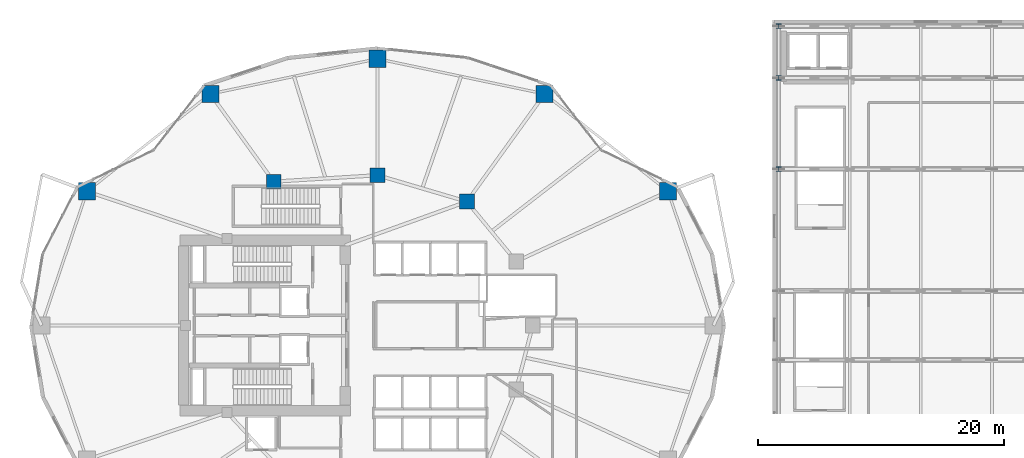
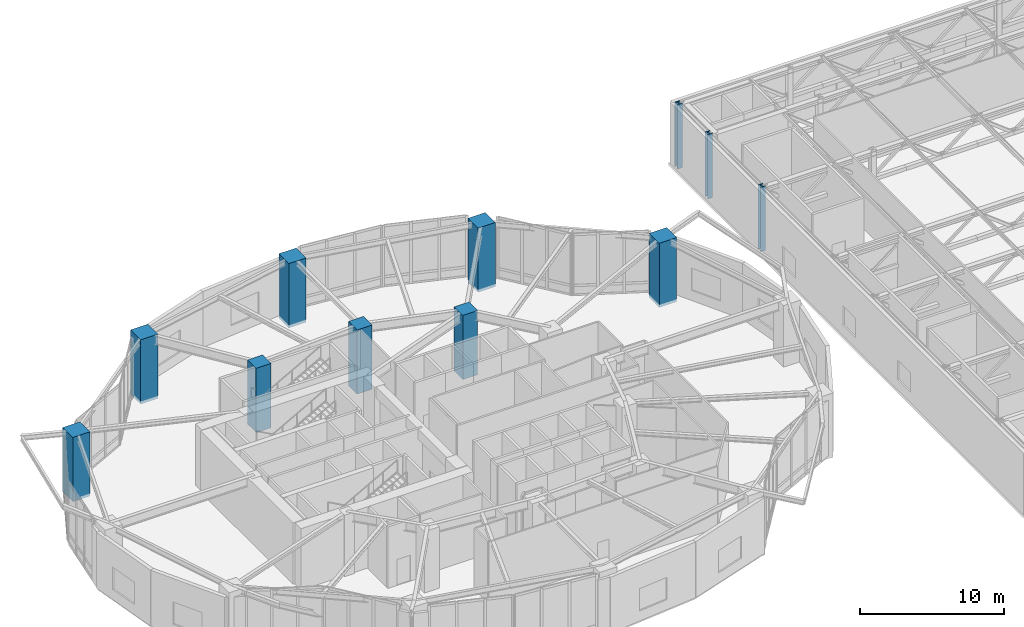
# One storey, part 3 of 29: 11 columns.
"""IFC4 building model written with IfcOpenShell, lengths in metres."""

from ifc_helpers import new_model, si_unit, direction, frame, origin, origin_2d, place, context, subcontext, project, spatial, rectangle, i_section, extrude, material, material_profile, profile_set, type_object, element, save


model = new_model("IFC4")

# Units and contexts
model_context = context("Model", 3, precision=1e-05, world=origin(), true_north=direction((0.0, 1.0)))
body_context = subcontext(model_context, "Body", "Model", "MODEL_VIEW")
ifc_project = project(units=[si_unit("LENGTHUNIT", "METRE"), si_unit("AREAUNIT", "SQUARE_METRE"), si_unit("VOLUMEUNIT", "CUBIC_METRE"), si_unit("PLANEANGLEUNIT", "RADIAN"), si_unit("MASSUNIT", "GRAM", prefix="KILO")], contexts=[model_context])

# Site, building, storey
site_placement = place(None, origin())
site = spatial("IfcSite", under=ifc_project, at=site_placement, CompositionType="ELEMENT")
building_placement = place(site_placement, origin())
building = spatial("IfcBuilding", under=site, at=building_placement, Name="Kolvaren Gate Tower and Convention Centre", CompositionType="ELEMENT")
storey_placement = place(building_placement, frame((0.0, 0.0, 21.0)))
storey = spatial("IfcBuildingStorey", under=building, at=storey_placement, Name="L04", CompositionType="ELEMENT", Elevation=21.0)

# Columns
ifc_material_1 = material(Name="Concrete C70/85", Category="concrete")
ifc_material_profile_1 = material_profile(ifc_material_1, rectangle(XDim=1.199951171875, YDim=1.199951171875, at=origin_2d()), Name="RC-COL-1200X1200")
ifc_profile_set_1 = profile_set([ifc_material_profile_1], Name="Concrete C70/85")
column_type_1 = type_object("IfcColumnType", Name="STR-COL-RC1200", PredefinedType="COLUMN", material=ifc_profile_set_1)
for number, where, z_axis, x_axis, name in (
    (1, (37.381591796875, 37.054931640625, -0.239990234375), (0.0, 0.0, 1.0), (1.0, 0.0, 0.0), "Tower L04 Interior Column TI-03"),
    (2, (30.125, 39.199951171875, -0.239990234375), (0.0, 0.0, 1.0), (1.0, 0.0, 0.0), "Tower L04 Interior Column TI-04"),
    (3, (21.697998046875, 38.6767578125, -0.239990234375), (0.0, 0.0, 1.0), (1.0, 0.0, 0.0), "Tower L04 Interior Column TI-05"),
):
    element("IfcColumn", number, at=place(storey_placement, frame(where, z_axis=z_axis, x_axis=x_axis)), inside=storey, type_object=column_type_1, Name=name, PredefinedType="COLUMN", context=body_context, shape_type="SweptSolid", body=[
        extrude(rectangle(XDim=1.199951171875, YDim=1.199951171875, at=origin_2d()), origin(), (0.0, 0.0, 1.0), 5.4599609375),
    ])
ifc_material_profile_2 = material_profile(ifc_material_1, rectangle(XDim=1.39990234375, YDim=1.39990234375, at=origin_2d()), Name="RC-COL-1400X1400")
ifc_profile_set_2 = profile_set([ifc_material_profile_2], Name="Concrete C70/85")
column_type_2 = type_object("IfcColumnType", Name="STR-COL-RC1400", PredefinedType="COLUMN", material=ifc_profile_set_2)
for number, where, z_axis, x_axis, name in (
    (4, (53.710205078125, 37.8935546875, -0.239990234375), (0.0, 0.0, 1.0), (1.0, 0.0, 0.0), "Tower L04 Perimeter Supercolumn TP-02"),
    (5, (43.690185546875, 45.79638671875, -0.239990234375), (0.0, 0.0, 1.0), (1.0, 0.0, 0.0), "Tower L04 Perimeter Supercolumn TP-03"),
    (6, (30.125, 48.64990234375, -0.239990234375), (0.0, 0.0, 1.0), (1.0, 0.0, 0.0), "Tower L04 Perimeter Supercolumn TP-04"),
    (7, (16.559814453125, 45.79638671875, -0.239990234375), (0.0, 0.0, 1.0), (1.0, 0.0, 0.0), "Tower L04 Perimeter Supercolumn TP-05"),
    (8, (6.539794921875, 37.8935546875, -0.239990234375), (0.0, 0.0, 1.0), (1.0, 0.0, 0.0), "Tower L04 Perimeter Supercolumn TP-06"),
):
    element("IfcColumn", number, at=place(storey_placement, frame(where, z_axis=z_axis, x_axis=x_axis)), inside=storey, type_object=column_type_2, Name=name, PredefinedType="COLUMN", context=body_context, shape_type="SweptSolid", body=[
        extrude(rectangle(XDim=1.39990234375, YDim=1.39990234375, at=origin_2d()), origin(), (0.0, 0.0, 1.0), 5.4599609375),
    ])
ifc_material_2 = material(Name="Structural steel ASTM A992 Grade 345 MPa", Category="steel")
ifc_material_profile_3 = material_profile(ifc_material_2, i_section(OverallWidth=0.39501953125, OverallDepth=0.3798828125, WebThickness=0.018798828125, FlangeThickness=0.0302734375, at=origin_2d()), Name="W360X237")
ifc_profile_set_3 = profile_set([ifc_material_profile_3], Name="Structural steel ASTM A992 Grade 345 MPa")
column_type_3 = type_object("IfcColumnType", Name="STR-COL-W360X237", PredefinedType="COLUMN", material=ifc_profile_set_3)
for number, where, z_axis, x_axis, name in (
    (9, (62.699951171875, 39.699951171875, -0.239990234375), (0.0, 0.0, 1.0), (1.0, 0.0, 0.0), "Convention L04 Column CC-16"),
    (10, (62.699951171875, 47.10009765625, -0.239990234375), (0.0, 0.0, 1.0), (1.0, 0.0, 0.0), "Convention L04 Column CC-17"),
    (11, (62.699951171875, 51.300048828125, -0.239990234375), (0.0, 0.0, 1.0), (1.0, 0.0, 0.0), "Convention L04 Column CC-18"),
):
    element("IfcColumn", number, at=place(storey_placement, frame(where, z_axis=z_axis, x_axis=x_axis)), inside=storey, type_object=column_type_3, Name=name, PredefinedType="COLUMN", context=body_context, shape_type="SweptSolid", body=[
        extrude(i_section(OverallWidth=0.39501953125, OverallDepth=0.3798828125, WebThickness=0.018798828125, FlangeThickness=0.0302734375, at=origin_2d()), origin(), (0.0, 0.0, 1.0), 5.489990234375),
    ])

save(model, "model.ifc")
